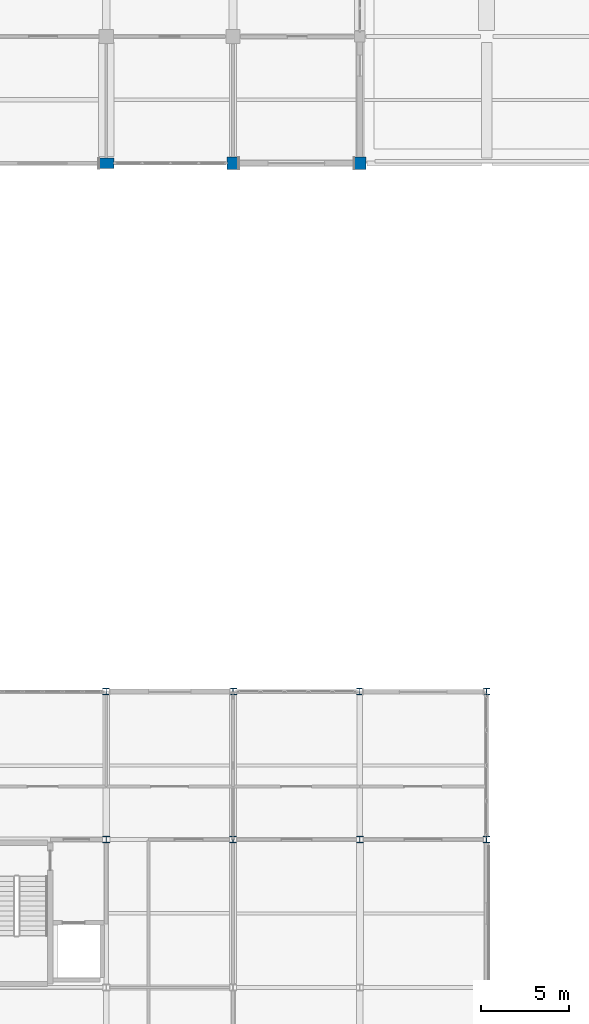
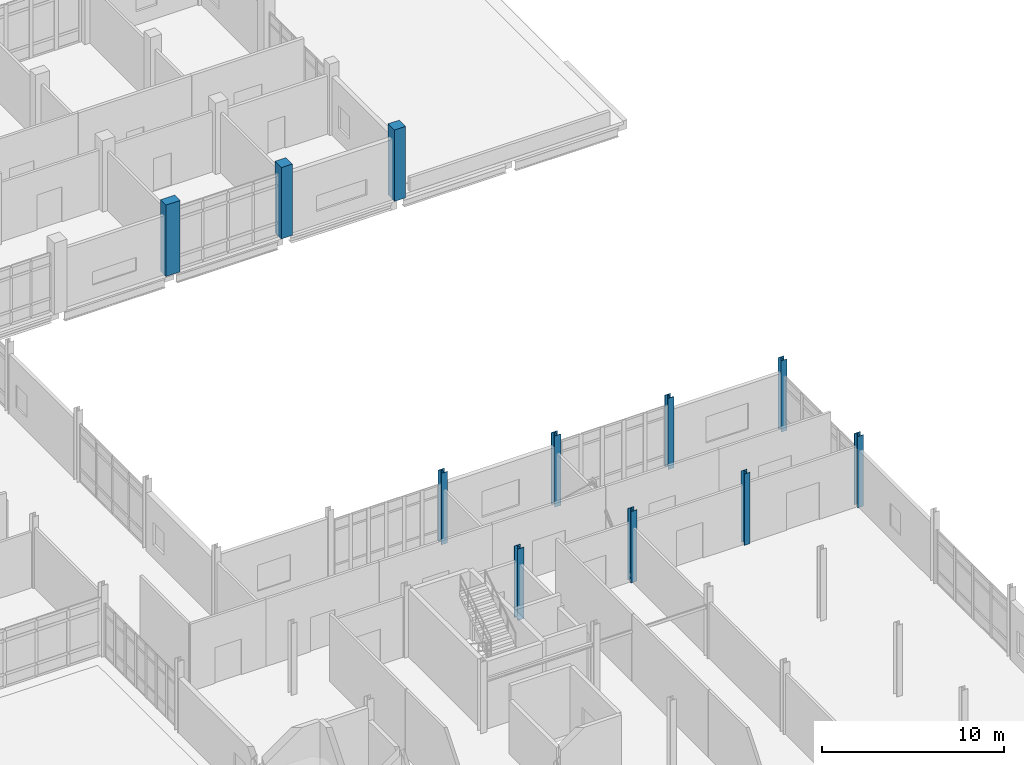
# One storey, part 16 of 186: 11 columns.
"""IFC4 building model written with IfcOpenShell, lengths in metres."""

from ifc_helpers import new_model, si_unit, direction, frame, origin, origin_2d, place, context, subcontext, project, spatial, rectangle, i_section, extrude, material, material_profile, profile_set, type_object, element, save


model = new_model("IFC4")

# Units and contexts
model_context = context("Model", 3, precision=1e-05, world=origin(), true_north=direction((0.0, 1.0)))
body_context = subcontext(model_context, "Body", "Model", "MODEL_VIEW")
ifc_project = project(units=[si_unit("LENGTHUNIT", "METRE"), si_unit("AREAUNIT", "SQUARE_METRE"), si_unit("VOLUMEUNIT", "CUBIC_METRE"), si_unit("PLANEANGLEUNIT", "RADIAN"), si_unit("MASSUNIT", "GRAM", prefix="KILO")], contexts=[model_context])

# Site, building, storey
site_placement = place(None, origin())
site = spatial("IfcSite", under=ifc_project, at=site_placement, CompositionType="ELEMENT")
building_placement = place(site_placement, origin())
building = spatial("IfcBuilding", under=site, at=building_placement, Name="Calvrana Isthmian Art Gallery", CompositionType="ELEMENT")
storey_placement = place(building_placement, frame((0.0, 0.0, 5.39990234375)))
storey = spatial("IfcBuildingStorey", under=building, at=storey_placement, Name="L01", CompositionType="ELEMENT", Elevation=5.39990234375)

# Columns
ifc_material_1 = material(Name="Concrete C40/50", Category="concrete")
ifc_material_profile_1 = material_profile(ifc_material_1, rectangle(XDim=0.699951171875, YDim=0.699951171875, at=origin_2d()), Name="RC700X700")
ifc_profile_set_1 = profile_set([ifc_material_profile_1], Name="Concrete C40/50")
column_type_1 = type_object("IfcColumnType", Name="COL-RC-RC700X700", PredefinedType="COLUMN", material=ifc_profile_set_1)
for number, where, z_axis, x_axis, name in (
    (1, (141.60009765625, 76.800048828125, 0.0), (0.0, 0.0, 1.0), (1.0, 0.0, 0.0), "Column 19/K L01"),
    (2, (148.800048828125, 76.800048828125, 0.0), (0.0, 0.0, 1.0), (1.0, 0.0, 0.0), "Column 20/K L01"),
):
    element("IfcColumn", number, at=place(storey_placement, frame(where, z_axis=z_axis, x_axis=x_axis)), inside=storey, type_object=column_type_1, Name=name, PredefinedType="COLUMN", context=body_context, shape_type="SweptSolid", body=[
        extrude(rectangle(XDim=0.699951171875, YDim=0.699951171875, at=origin_2d()), origin(), (0.0, 0.0, 1.0), 4.800048828125),
    ])
ifc_material_profile_2 = material_profile(ifc_material_1, rectangle(XDim=0.89990234375, YDim=0.60009765625, at=origin_2d()), Name="RC900X600")
ifc_profile_set_2 = profile_set([ifc_material_profile_2], Name="Concrete C40/50")
column_type_2 = type_object("IfcColumnType", Name="COL-RC-RC900X600", PredefinedType="COLUMN", material=ifc_profile_set_2)
column_1_placement = place(storey_placement, frame((134.39990234375, 76.800048828125, 0.0), z_axis=(0.0, 0.0, 1.0), x_axis=(1.0, 0.0, 0.0)))
element("IfcColumn", 3, at=column_1_placement, inside=storey, type_object=column_type_2, Name="Column 18/K L01", PredefinedType="COLUMN", context=body_context, shape_type="SweptSolid", body=[
    extrude(rectangle(XDim=0.89990234375, YDim=0.60009765625, at=origin_2d()), origin(), (0.0, 0.0, 1.0), 4.800048828125),
])
ifc_material_2 = material(Name="Steel ASTM A992 Gr 50", Category="steel")
ifc_material_profile_3 = material_profile(ifc_material_2, i_section(OverallWidth=0.37109375, OverallDepth=0.363037109375, WebThickness=0.01318359375, FlangeThickness=0.021728515625, FilletRadius=0.02490234375, at=origin_2d()), Name="W14X109")
ifc_profile_set_3 = profile_set([ifc_material_profile_3], Name="Steel ASTM A992 Gr 50")
column_type_3 = type_object("IfcColumnType", Name="COL-STL-W14X109", PredefinedType="COLUMN", material=ifc_profile_set_3)
column_2_placement = place(storey_placement, frame((148.800048828125, 46.800048828125, 0.0), z_axis=(0.0, 0.0, 1.0), x_axis=(1.0, 0.0, 0.0)))
element("IfcColumn", 4, at=column_2_placement, inside=storey, type_object=column_type_3, Name="Column 20/G L01", PredefinedType="COLUMN", context=body_context, shape_type="SweptSolid", body=[
    extrude(i_section(OverallWidth=0.37109375, OverallDepth=0.363037109375, WebThickness=0.01318359375, FlangeThickness=0.021728515625, FilletRadius=0.02490234375, at=origin_2d()), origin(), (0.0, 0.0, 1.0), 4.800048828125),
])
ifc_material_profile_4 = material_profile(ifc_material_2, i_section(OverallWidth=0.373046875, OverallDepth=0.373046875, WebThickness=0.016357421875, FlangeThickness=0.026123046875, FilletRadius=0.02490234375, at=origin_2d()), Name="W14X132")
ifc_profile_set_4 = profile_set([ifc_material_profile_4], Name="Steel ASTM A992 Gr 50")
column_type_4 = type_object("IfcColumnType", Name="COL-STL-W14X132", PredefinedType="COLUMN", material=ifc_profile_set_4)
column_3_placement = place(storey_placement, frame((156.0, 38.39990234375, 0.0), z_axis=(0.0, 0.0, 1.0), x_axis=(1.0, 0.0, 0.0)))
element("IfcColumn", 5, at=column_3_placement, inside=storey, type_object=column_type_4, Name="Column 21/F L01", PredefinedType="COLUMN", context=body_context, shape_type="SweptSolid", body=[
    extrude(i_section(OverallWidth=0.373046875, OverallDepth=0.373046875, WebThickness=0.016357421875, FlangeThickness=0.026123046875, FilletRadius=0.02490234375, at=origin_2d()), origin(), (0.0, 0.0, 1.0), 4.800048828125),
])
ifc_material_profile_5 = material_profile(ifc_material_2, i_section(OverallWidth=0.39404296875, OverallDepth=0.3759765625, WebThickness=0.017333984375, FlangeThickness=0.027587890625, FilletRadius=0.02490234375, at=origin_2d()), Name="W14X145")
ifc_profile_set_5 = profile_set([ifc_material_profile_5], Name="Steel ASTM A992 Gr 50")
column_type_5 = type_object("IfcColumnType", Name="COL-STL-W14X145", PredefinedType="COLUMN", material=ifc_profile_set_5)
column_4_placement = place(storey_placement, frame((141.60009765625, 38.39990234375, 0.0), z_axis=(0.0, 0.0, 1.0), x_axis=(1.0, 0.0, 0.0)))
element("IfcColumn", 6, at=column_4_placement, inside=storey, type_object=column_type_5, Name="Column 19/F L01", PredefinedType="COLUMN", context=body_context, shape_type="SweptSolid", body=[
    extrude(i_section(OverallWidth=0.39404296875, OverallDepth=0.3759765625, WebThickness=0.017333984375, FlangeThickness=0.027587890625, FilletRadius=0.02490234375, at=origin_2d()), origin(), (0.0, 0.0, 1.0), 4.800048828125),
])
ifc_material_profile_6 = material_profile(ifc_material_2, i_section(OverallWidth=0.39599609375, OverallDepth=0.381103515625, WebThickness=0.018798828125, FlangeThickness=0.0302734375, FilletRadius=0.02490234375, at=origin_2d()), Name="W14X159")
ifc_profile_set_6 = profile_set([ifc_material_profile_6], Name="Steel ASTM A992 Gr 50")
column_type_6 = type_object("IfcColumnType", Name="COL-STL-W14X159", PredefinedType="COLUMN", material=ifc_profile_set_6)
for number, where, z_axis, x_axis, name in (
    (7, (134.39990234375, 38.39990234375, 0.0), (0.0, 0.0, 1.0), (1.0, 0.0, 0.0), "Column 18/F L01"),
    (8, (141.60009765625, 46.800048828125, 0.0), (0.0, 0.0, 1.0), (1.0, 0.0, 0.0), "Column 19/G L01"),
):
    element("IfcColumn", number, at=place(storey_placement, frame(where, z_axis=z_axis, x_axis=x_axis)), inside=storey, type_object=column_type_6, Name=name, PredefinedType="COLUMN", context=body_context, shape_type="SweptSolid", body=[
        extrude(i_section(OverallWidth=0.39599609375, OverallDepth=0.381103515625, WebThickness=0.018798828125, FlangeThickness=0.0302734375, FilletRadius=0.02490234375, at=origin_2d()), origin(), (0.0, 0.0, 1.0), 4.800048828125),
    ])
ifc_material_profile_7 = material_profile(ifc_material_2, i_section(OverallWidth=0.39892578125, OverallDepth=0.385986328125, WebThickness=0.02099609375, FlangeThickness=0.033203125, FilletRadius=0.02490234375, at=origin_2d()), Name="W14X176")
ifc_profile_set_7 = profile_set([ifc_material_profile_7], Name="Steel ASTM A992 Gr 50")
column_type_7 = type_object("IfcColumnType", Name="COL-STL-W14X176", PredefinedType="COLUMN", material=ifc_profile_set_7)
column_5_placement = place(storey_placement, frame((134.39990234375, 46.800048828125, 0.0), z_axis=(0.0, 0.0, 1.0), x_axis=(1.0, 0.0, 0.0)))
element("IfcColumn", 9, at=column_5_placement, inside=storey, type_object=column_type_7, Name="Column 18/G L01", PredefinedType="COLUMN", context=body_context, shape_type="SweptSolid", body=[
    extrude(i_section(OverallWidth=0.39892578125, OverallDepth=0.385986328125, WebThickness=0.02099609375, FlangeThickness=0.033203125, FilletRadius=0.02490234375, at=origin_2d()), origin(), (0.0, 0.0, 1.0), 4.800048828125),
])
ifc_material_profile_8 = material_profile(ifc_material_2, i_section(OverallWidth=0.367919921875, OverallDepth=0.35595703125, WebThickness=0.01123046875, FlangeThickness=0.01806640625, FilletRadius=0.02490234375, at=origin_2d()), Name="W14X90")
ifc_profile_set_8 = profile_set([ifc_material_profile_8], Name="Steel ASTM A992 Gr 50")
column_type_8 = type_object("IfcColumnType", Name="COL-STL-W14X90", PredefinedType="COLUMN", material=ifc_profile_set_8)
for number, where, z_axis, x_axis, name in (
    (10, (148.800048828125, 38.39990234375, 0.0), (0.0, 0.0, 1.0), (1.0, 0.0, 0.0), "Column 20/F L01"),
    (11, (156.0, 46.800048828125, 0.0), (0.0, 0.0, 1.0), (1.0, 0.0, 0.0), "Column 21/G L01"),
):
    element("IfcColumn", number, at=place(storey_placement, frame(where, z_axis=z_axis, x_axis=x_axis)), inside=storey, type_object=column_type_8, Name=name, PredefinedType="COLUMN", context=body_context, shape_type="SweptSolid", body=[
        extrude(i_section(OverallWidth=0.367919921875, OverallDepth=0.35595703125, WebThickness=0.01123046875, FlangeThickness=0.01806640625, FilletRadius=0.02490234375, at=origin_2d()), origin(), (0.0, 0.0, 1.0), 4.800048828125),
    ])

save(model, "model.ifc")
